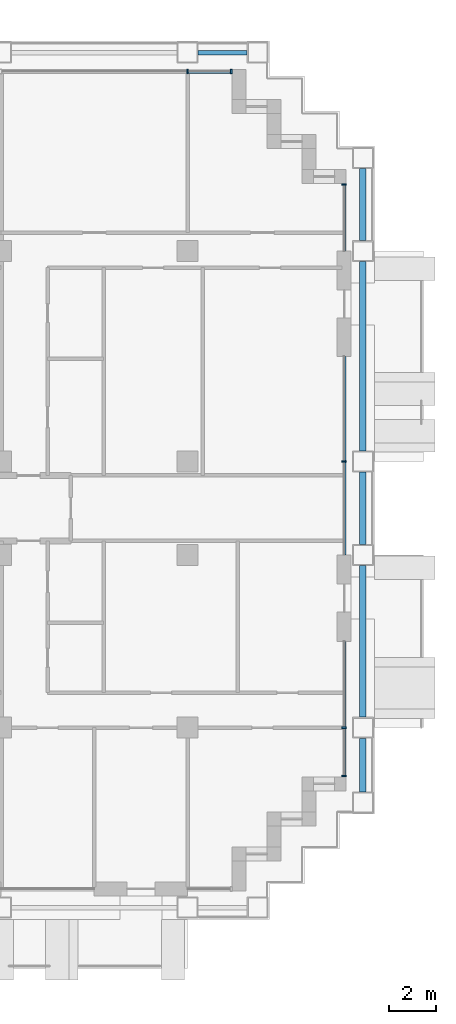
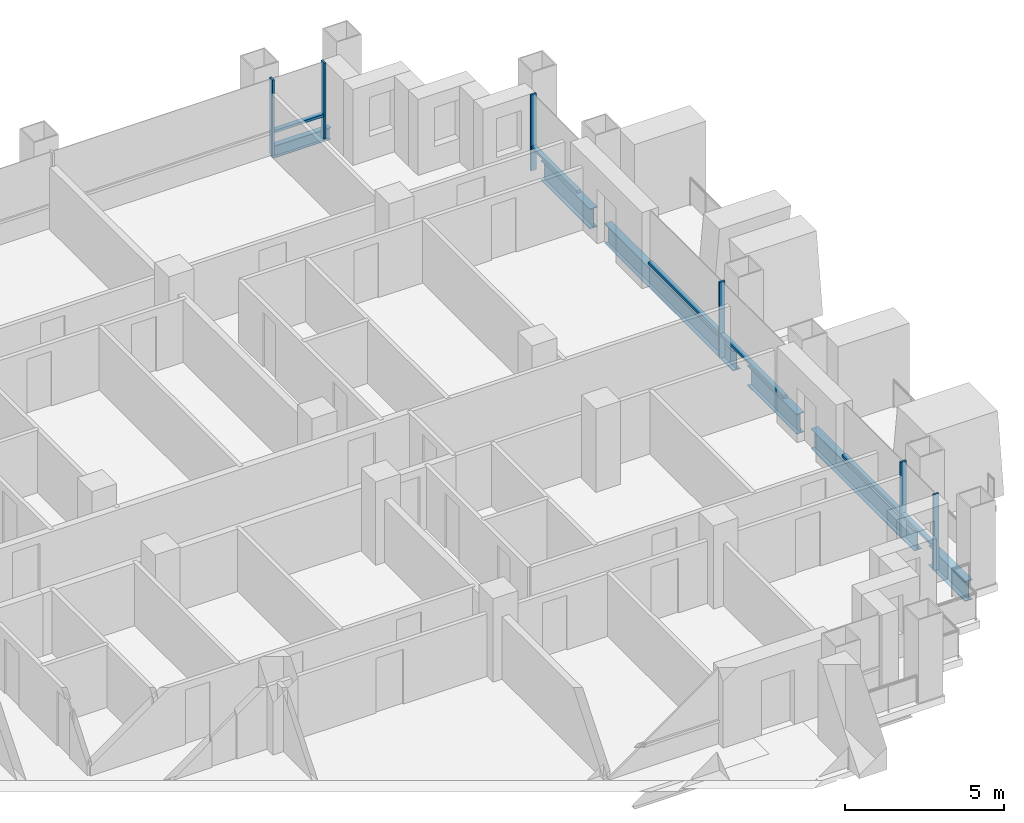
# One storey, part 6 of 18: 12 members, 6 beams, 4 elements without a shape of their own.
"""IFC4 building model written with IfcOpenShell, lengths in metres."""

from ifc_helpers import new_model, si_unit, direction, frame, origin, origin_2d, place, context, subcontext, project, spatial, rectangle, i_section, extrude, material, material_profile, profile_set, type_object, element, aggregate, save


model = new_model("IFC4")

# Units and contexts
model_context = context("Model", 3, precision=1e-05, world=origin(), true_north=direction((0.0, 1.0)))
body_context = subcontext(model_context, "Body", "Model", "MODEL_VIEW")
ifc_project = project(units=[si_unit("LENGTHUNIT", "METRE"), si_unit("AREAUNIT", "SQUARE_METRE"), si_unit("VOLUMEUNIT", "CUBIC_METRE"), si_unit("PLANEANGLEUNIT", "RADIAN"), si_unit("MASSUNIT", "GRAM", prefix="KILO")], contexts=[model_context])

# Site, building, storey
site_placement = place(None, origin())
site = spatial("IfcSite", under=ifc_project, at=site_placement, CompositionType="ELEMENT")
building_placement = place(site_placement, origin())
building = spatial("IfcBuilding", under=site, at=building_placement, Name="Vidyagriha Tower", CompositionType="ELEMENT")
storey_placement = place(building_placement, frame((0.0, 0.0, 80.699951171875)))
storey = spatial("IfcBuildingStorey", under=building, at=storey_placement, Name="L20", CompositionType="ELEMENT", Elevation=80.699951171875)

# Beams
ifc_material_1 = material(Name="Steel ASTM A992 Grade 50", Category="steel")
ifc_material_profile_1 = material_profile(ifc_material_1, i_section(OverallWidth=0.2666015625, OverallDepth=0.76953125, WebThickness=0.015625, FlangeThickness=0.025390625, at=origin_2d()), Name="W30X132")
ifc_profile_set_1 = profile_set([ifc_material_profile_1], Name="Steel ASTM A992 Grade 50")
beam_type_1 = type_object("IfcBeamType", Name="Cantilever edge beam W30X132", PredefinedType="SPANDREL", material=ifc_profile_set_1)
beam_1_placement = place(storey_placement, frame((41.5, -12.14990234375, -0.664794921875), z_axis=(0.0, 1.0, 0.0), x_axis=(-1.0, 0.0, 0.0)))
element("IfcBeam", 1, at=beam_1_placement, inside=storey, type_object=beam_type_1, Name="st-beam-L20-E15", PredefinedType="SPANDREL", context=body_context, shape_type="SweptSolid", body=[
    extrude(i_section(OverallWidth=0.2666015625, OverallDepth=0.76953125, WebThickness=0.015625, FlangeThickness=0.025390625, at=origin_2d()), origin(), (0.0, 0.0, 1.0), 2.2998046875),
])
beam_2_placement = place(storey_placement, frame((41.5, -8.949951171875, -0.664794921875), z_axis=(0.0, 1.0, 0.0), x_axis=(-1.0, 0.0, 0.0)))
element("IfcBeam", 2, at=beam_2_placement, inside=storey, type_object=beam_type_1, Name="st-beam-L20-E16", PredefinedType="SPANDREL", context=body_context, shape_type="SweptSolid", body=[
    extrude(i_section(OverallWidth=0.2666015625, OverallDepth=0.76953125, WebThickness=0.015625, FlangeThickness=0.025390625, at=origin_2d()), origin(), (0.0, 0.0, 1.0), 6.5),
])
beam_3_placement = place(storey_placement, frame((41.5, -1.550048828125, -0.664794921875), z_axis=(0.0, 1.0, 0.0), x_axis=(-1.0, 0.0, 0.0)))
element("IfcBeam", 3, at=beam_3_placement, inside=storey, type_object=beam_type_1, Name="st-beam-L20-E17", PredefinedType="SPANDREL", context=body_context, shape_type="SweptSolid", body=[
    extrude(i_section(OverallWidth=0.2666015625, OverallDepth=0.76953125, WebThickness=0.015625, FlangeThickness=0.025390625, at=origin_2d()), origin(), (0.0, 0.0, 1.0), 3.10009765625),
])
beam_4_placement = place(storey_placement, frame((41.5, 2.449951171875, -0.664794921875), z_axis=(0.0, 1.0, 0.0), x_axis=(-1.0, 0.0, 0.0)))
element("IfcBeam", 4, at=beam_4_placement, inside=storey, type_object=beam_type_1, Name="st-beam-L20-E18", PredefinedType="SPANDREL", context=body_context, shape_type="SweptSolid", body=[
    extrude(i_section(OverallWidth=0.2666015625, OverallDepth=0.76953125, WebThickness=0.015625, FlangeThickness=0.025390625, at=origin_2d()), origin(), (0.0, 0.0, 1.0), 8.10009765625),
])
beam_5_placement = place(storey_placement, frame((41.5, 11.449951171875, -0.664794921875), z_axis=(0.0, 1.0, 0.0), x_axis=(-1.0, 0.0, 0.0)))
element("IfcBeam", 5, at=beam_5_placement, inside=storey, type_object=beam_type_1, Name="st-beam-L20-E19", PredefinedType="SPANDREL", context=body_context, shape_type="SweptSolid", body=[
    extrude(i_section(OverallWidth=0.2666015625, OverallDepth=0.76953125, WebThickness=0.015625, FlangeThickness=0.025390625, at=origin_2d()), origin(), (0.0, 0.0, 1.0), 3.10009765625),
])
ifc_material_2 = material(Name="Steel ASTM A992 Grade 50", Category="steel")
ifc_material_profile_2 = material_profile(ifc_material_2, i_section(OverallWidth=0.19189453125, OverallDepth=0.46240234375, WebThickness=0.010498046875, FlangeThickness=0.017578125, at=origin_2d()), Name="W18X60")
ifc_profile_set_2 = profile_set([ifc_material_profile_2], Name="Steel ASTM A992 Grade 50")
beam_type_2 = type_object("IfcBeamType", Name="Edge beam W18X60", PredefinedType="SPANDREL", material=ifc_profile_set_2)
beam_6_placement = place(storey_placement, frame((34.449951171875, 19.5, -0.510986328125), z_axis=(1.0, 0.0, 0.0), x_axis=(0.0, 1.0, 0.0)))
element("IfcBeam", 6, at=beam_6_placement, inside=storey, type_object=beam_type_2, Name="st-beam-L20-NE23", PredefinedType="SPANDREL", context=body_context, shape_type="SweptSolid", body=[
    extrude(i_section(OverallWidth=0.19189453125, OverallDepth=0.46240234375, WebThickness=0.010498046875, FlangeThickness=0.017578125, at=origin_2d()), origin(), (0.0, 0.0, 1.0), 2.10009765625),
])

# Curtain wall, members
ifc_material_3 = material(Name="Aluminium and glass curtain wall", Category="aluminium")
curtain_wall_type = type_object("IfcCurtainWallType", Name="Dwelling skin unitised curtain wall", PredefinedType="USERDEFINED", material=ifc_material_3)
curtain_wall_1_placement = place(storey_placement, origin())
curtain_wall_1 = element("IfcCurtainWall", 7, at=curtain_wall_1_placement, inside=storey, type_object=curtain_wall_type, Name="CW1 dwelling skin", ObjectType="UNITISED", PredefinedType="USERDEFINED")
ifc_material_4 = material(Name="Aluminium black anodised", Category="aluminium")
ifc_material_profile_3 = material_profile(ifc_material_4, rectangle(XDim=0.199951171875, YDim=0.070068359375, at=origin_2d()), Name="Mullion 70x200 black aluminium")
ifc_profile_set_3 = profile_set([ifc_material_profile_3], Name="Aluminium black anodised")
member_type_1 = type_object("IfcMemberType", Name="Mullion 70x200 black aluminium", PredefinedType="MULLION", material=ifc_profile_set_3)
member_1_placement = place(storey_placement, frame((35.864990234375, 18.699951171875, 0.0), z_axis=(0.0, 0.0, 1.0), x_axis=(0.0, -1.0, 0.0)))
member_1 = element("IfcMember", 8, at=member_1_placement, type_object=member_type_1, Name="CW1 mullion 1", PredefinedType="MULLION", context=body_context, shape_type="SweptSolid", body=[
    extrude(rectangle(XDim=0.199951171875, YDim=0.070068359375, at=origin_2d()), origin(), (0.0, 0.0, 1.0), 2.920166015625),
])
member_2_placement = place(storey_placement, frame((34.0, 18.699951171875, 0.0), z_axis=(0.0, 0.0, 1.0), x_axis=(0.0, -1.0, 0.0)))
member_2 = element("IfcMember", 9, at=member_2_placement, type_object=member_type_1, Name="CW1 mullion 2", PredefinedType="MULLION", context=body_context, shape_type="SweptSolid", body=[
    extrude(rectangle(XDim=0.199951171875, YDim=0.070068359375, at=origin_2d()), origin(), (0.0, 0.0, 1.0), 2.920166015625),
])

curtain_wall_2_placement = place(storey_placement, origin())
curtain_wall_2 = element("IfcCurtainWall", 10, at=curtain_wall_2_placement, inside=storey, type_object=curtain_wall_type, Name="CW1 dwelling skin", ObjectType="UNITISED", PredefinedType="USERDEFINED")
member_3_placement = place(storey_placement, frame((40.699951171875, -11.465087890625, 0.0), z_axis=(0.0, 0.0, 1.0), x_axis=(-1.0, 0.0, 0.0)))
member_3 = element("IfcMember", 11, at=member_3_placement, type_object=member_type_1, Name="CW1 mullion 1", PredefinedType="MULLION", context=body_context, shape_type="SweptSolid", body=[
    extrude(rectangle(XDim=0.199951171875, YDim=0.070068359375, at=origin_2d()), origin(), (0.0, 0.0, 1.0), 2.920166015625),
])
member_4_placement = place(storey_placement, frame((40.699951171875, -9.39990234375, 0.0), z_axis=(0.0, 0.0, 1.0), x_axis=(-1.0, 0.0, 0.0)))
member_4 = element("IfcMember", 12, at=member_4_placement, type_object=member_type_1, Name="CW1 mullion 2", PredefinedType="MULLION", context=body_context, shape_type="SweptSolid", body=[
    extrude(rectangle(XDim=0.199951171875, YDim=0.070068359375, at=origin_2d()), origin(), (0.0, 0.0, 1.0), 2.920166015625),
])

# Curtain wall, member
curtain_wall_3_placement = place(storey_placement, origin())
curtain_wall_3 = element("IfcCurtainWall", 13, at=curtain_wall_3_placement, inside=storey, type_object=curtain_wall_type, Name="CW1 dwelling skin", ObjectType="UNITISED", PredefinedType="USERDEFINED")
member_5_placement = place(storey_placement, frame((40.699951171875, 2.0, 0.0), z_axis=(0.0, 0.0, 1.0), x_axis=(-1.0, 0.0, 0.0)))
member_5 = element("IfcMember", 14, at=member_5_placement, type_object=member_type_1, Name="CW1 mullion 2", PredefinedType="MULLION", context=body_context, shape_type="SweptSolid", body=[
    extrude(rectangle(XDim=0.199951171875, YDim=0.070068359375, at=origin_2d()), origin(), (0.0, 0.0, 1.0), 2.920166015625),
])

curtain_wall_4_placement = place(storey_placement, origin())
curtain_wall_4 = element("IfcCurtainWall", 15, at=curtain_wall_4_placement, inside=storey, type_object=curtain_wall_type, Name="CW1 dwelling skin", ObjectType="UNITISED", PredefinedType="USERDEFINED")
member_6_placement = place(storey_placement, frame((40.699951171875, 13.864990234375, 0.0), z_axis=(0.0, 0.0, 1.0), x_axis=(-1.0, 0.0, 0.0)))
member_6 = element("IfcMember", 16, at=member_6_placement, type_object=member_type_1, Name="CW1 mullion 2", PredefinedType="MULLION", context=body_context, shape_type="SweptSolid", body=[
    extrude(rectangle(XDim=0.199951171875, YDim=0.070068359375, at=origin_2d()), origin(), (0.0, 0.0, 1.0), 2.920166015625),
])

# Member
ifc_material_5 = material(Name="Aluminium black anodised", Category="aluminium")
ifc_material_profile_4 = material_profile(ifc_material_5, rectangle(XDim=0.159912109375, YDim=0.10009765625, at=origin_2d()), Name="Transom 100x160 black aluminium")
ifc_profile_set_4 = profile_set([ifc_material_profile_4], Name="Aluminium black anodised")
member_type_2 = type_object("IfcMemberType", Name="Transom 100x160 black aluminium", PredefinedType="USERDEFINED", material=ifc_profile_set_4)
member_7_placement = place(storey_placement, frame((35.830078125, 18.699951171875, 0.900146484375), z_axis=(-1.0, 0.0, 0.0), x_axis=(0.0, -1.0, 0.0)))
member_7 = element("IfcMember", 17, at=member_7_placement, type_object=member_type_2, Name="CW1 transom 1.1", ObjectType="TRANSOM", PredefinedType="USERDEFINED", context=body_context, shape_type="SweptSolid", body=[
    extrude(rectangle(XDim=0.159912109375, YDim=0.10009765625, at=origin_2d()), origin(), (0.0, 0.0, 1.0), 1.795166015625),
])

aggregate(curtain_wall_1, [member_1, member_2, member_7])

member_8_placement = place(storey_placement, frame((40.699951171875, -11.429931640625, 0.900146484375), z_axis=(0.0, 1.0, 0.0), x_axis=(-1.0, 0.0, 0.0)))
member_8 = element("IfcMember", 18, at=member_8_placement, type_object=member_type_2, Name="CW1 transom 1.1", ObjectType="TRANSOM", PredefinedType="USERDEFINED", context=body_context, shape_type="SweptSolid", body=[
    extrude(rectangle(XDim=0.159912109375, YDim=0.10009765625, at=origin_2d()), origin(), (0.0, 0.0, 1.0), 1.994873046875),
])

member_9_placement = place(storey_placement, frame((40.699951171875, -9.364990234375, 0.900146484375), z_axis=(0.0, 1.0, 0.0), x_axis=(-1.0, 0.0, 0.0)))
member_9 = element("IfcMember", 19, at=member_9_placement, type_object=member_type_2, Name="CW1 transom 2.1", ObjectType="TRANSOM", PredefinedType="USERDEFINED", context=body_context, shape_type="SweptSolid", body=[
    extrude(rectangle(XDim=0.159912109375, YDim=0.10009765625, at=origin_2d()), origin(), (0.0, 0.0, 1.0), 3.6650390625),
])

aggregate(curtain_wall_2, [member_3, member_4, member_8, member_9])

member_10_placement = place(storey_placement, frame((40.699951171875, -2.0, 0.900146484375), z_axis=(0.0, 1.0, 0.0), x_axis=(-1.0, 0.0, 0.0)))
member_10 = element("IfcMember", 20, at=member_10_placement, type_object=member_type_2, Name="CW1 transom 1.1", ObjectType="TRANSOM", PredefinedType="USERDEFINED", context=body_context, shape_type="SweptSolid", body=[
    extrude(rectangle(XDim=0.159912109375, YDim=0.10009765625, at=origin_2d()), origin(), (0.0, 0.0, 1.0), 3.965087890625),
])

member_11_placement = place(storey_placement, frame((40.699951171875, 2.034912109375, 0.900146484375), z_axis=(0.0, 1.0, 0.0), x_axis=(-1.0, 0.0, 0.0)))
member_11 = element("IfcMember", 21, at=member_11_placement, type_object=member_type_2, Name="CW1 transom 2.1", ObjectType="TRANSOM", PredefinedType="USERDEFINED", context=body_context, shape_type="SweptSolid", body=[
    extrude(rectangle(XDim=0.159912109375, YDim=0.10009765625, at=origin_2d()), origin(), (0.0, 0.0, 1.0), 4.465087890625),
])

aggregate(curtain_wall_3, [member_5, member_10, member_11])

member_12_placement = place(storey_placement, frame((40.699951171875, 11.0, 0.900146484375), z_axis=(0.0, 1.0, 0.0), x_axis=(-1.0, 0.0, 0.0)))
member_12 = element("IfcMember", 22, at=member_12_placement, type_object=member_type_2, Name="CW1 transom 1.1", ObjectType="TRANSOM", PredefinedType="USERDEFINED", context=body_context, shape_type="SweptSolid", body=[
    extrude(rectangle(XDim=0.159912109375, YDim=0.10009765625, at=origin_2d()), origin(), (0.0, 0.0, 1.0), 2.830078125),
])

aggregate(curtain_wall_4, [member_6, member_12])

save(model, "model.ifc")
